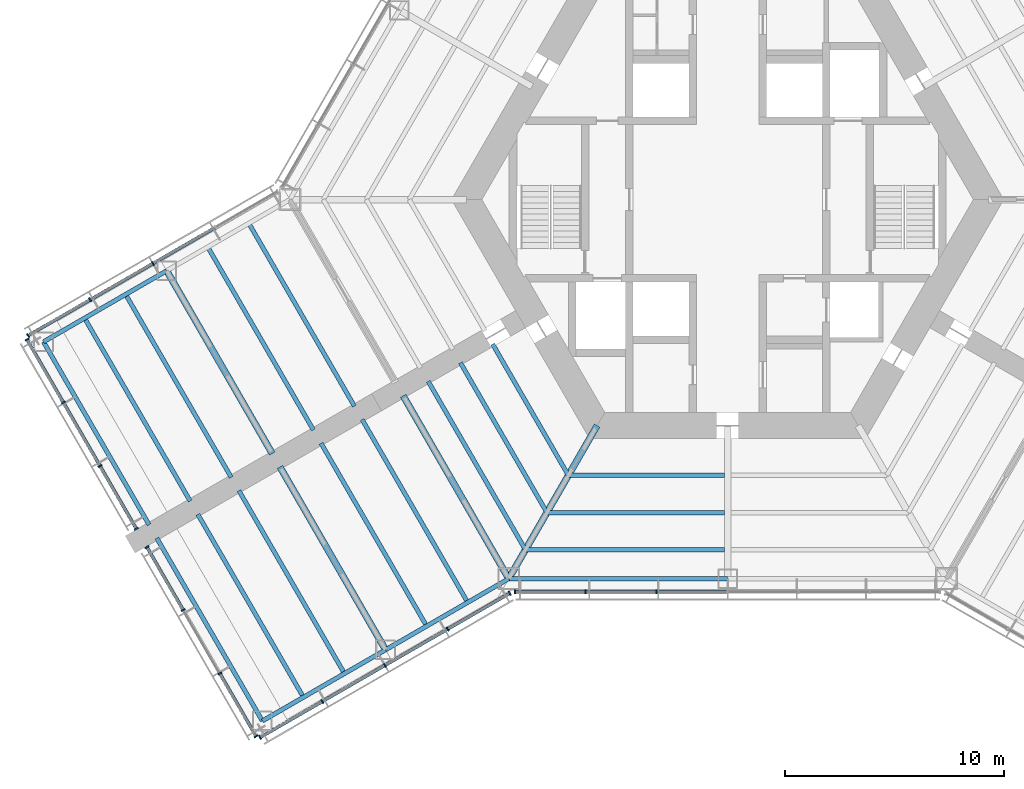
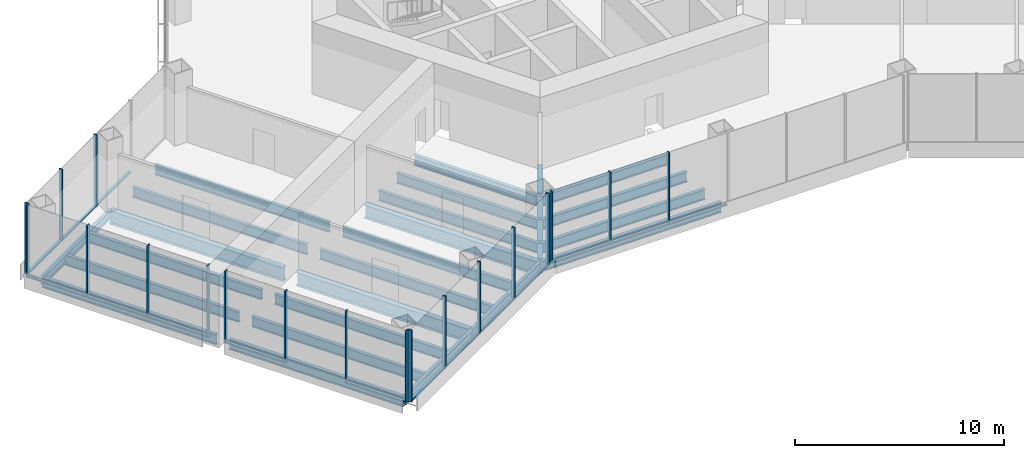
# One storey, part 2 of 15: 34 members, 24 beams, 5 elements without a shape of their own.
"""IFC4 building model written with IfcOpenShell, lengths in metres."""

import ifcopenshell
import ifcopenshell.guid

model = None  # the IFC model being written
_history = None  # IfcOwnerHistory: only IFC2X3 demands one
_inside = {}  # id of a spatial element -> (the spatial element, [elements in it])
_under = {}  # id of a project, library or spatial element -> (it, [spatial elements below it])
_declared = {}  # id of a project -> (the project, [libraries it declares])
_typed = {}  # id of a type object -> (the type object, [elements of that type])
_made_of = {}  # id of a material, layer set ... -> (it, [elements and type objects made of it])


def new_model(schema):
    """Start an empty IFC model of exactly this schema.

    Asked for "IFC4X3", IfcOpenShell would pick the latest addendum, in which some entities
    have other attributes; the version numbers below select the first issue.
    IFC2X3 requires an IfcOwnerHistory on every rooted entity: one is made here for all.
    """
    global model, _history
    if schema == "IFC4X3":
        model = ifcopenshell.file(schema_version=(4, 3, 0, 0))
    else:
        model = ifcopenshell.file(schema=schema)
    _inside.clear()
    _under.clear()
    _declared.clear()
    _typed.clear()
    _made_of.clear()
    _history = None
    if model.schema == "IFC2X3":
        org = make("IfcOrganization", Name="unknown")
        user = make(
            "IfcPersonAndOrganization",
            ThePerson=make("IfcPerson", FamilyName="unknown"),
            TheOrganization=org,
        )
        app = make(
            "IfcApplication",
            ApplicationDeveloper=org,
            Version="unknown",
            ApplicationFullName="unknown",
            ApplicationIdentifier="unknown",
        )
        _history = make(
            "IfcOwnerHistory",
            OwningUser=user,
            OwningApplication=app,
            ChangeAction="ADDED",
            CreationDate=0,
        )
    return model


def make(cls, **values):
    """One entity of the class cls with the attributes given. An attribute that is None is left unset."""
    return model.create_entity(
        cls, **{name: value for name, value in values.items() if value is not None}
    )


def rooted(cls, **values):
    """An entity with a GlobalId (a new one), such as an element, a storey or a relation."""
    return make(cls, GlobalId=ifcopenshell.guid.new(), OwnerHistory=_history, **values)


def si_unit(unit_type, name, prefix=None):
    """IfcSIUnit, for example si_unit("LENGTHUNIT", "METRE", prefix="MILLI")."""
    return make("IfcSIUnit", UnitType=unit_type, Prefix=prefix, Name=name)


def assignment(units):
    """IfcUnitAssignment: the units of a project."""
    return None if units is None else make("IfcUnitAssignment", Units=units)


def point(xyz):
    """IfcCartesianPoint."""
    return None if xyz is None else make("IfcCartesianPoint", Coordinates=xyz)


def direction(xyz):
    """IfcDirection."""
    return None if xyz is None else make("IfcDirection", DirectionRatios=xyz)


def frame(location, z_axis=None, x_axis=None):
    """IfcAxis2Placement3D, a coordinate frame: its origin and axes. An axis left out is left unset."""
    return make(
        "IfcAxis2Placement3D",
        Location=point(location),
        Axis=direction(z_axis),
        RefDirection=direction(x_axis),
    )


def frame_2d(location, x_axis=None):
    """IfcAxis2Placement2D, a coordinate frame in the plane: its origin and x axis."""
    return make(
        "IfcAxis2Placement2D", Location=point(location), RefDirection=direction(x_axis)
    )


def origin():
    """The frame at (0, 0, 0) with its axes left unset."""
    return frame((0.0, 0.0, 0.0))


def origin_2d():
    """The frame at (0, 0) in the plane with its x axis left unset."""
    return frame_2d((0.0, 0.0))


def place(relative_to, where):
    """IfcLocalPlacement: puts the frame where relative to a parent placement (None: the world)."""
    return make(
        "IfcLocalPlacement", PlacementRelTo=relative_to, RelativePlacement=where
    )


def context(
    kind, dimensions, precision=None, world=None, true_north=None, identifier=None
):
    """IfcGeometricRepresentationContext, for example the 3D "Model" context."""
    return make(
        "IfcGeometricRepresentationContext",
        ContextIdentifier=identifier,
        ContextType=kind,
        CoordinateSpaceDimension=dimensions,
        Precision=precision,
        WorldCoordinateSystem=world,
        TrueNorth=true_north,
    )


def subcontext(parent, identifier, kind, view, scale=None):
    """IfcGeometricRepresentationSubContext, for example "Body" below "Model"."""
    return make(
        "IfcGeometricRepresentationSubContext",
        ContextIdentifier=identifier,
        ContextType=kind,
        ParentContext=parent,
        TargetScale=scale,
        TargetView=view,
    )


def project(units=None, contexts=None):
    """IfcProject with its units and contexts."""
    return rooted(
        "IfcProject",
        Name="project",
        RepresentationContexts=contexts,
        UnitsInContext=assignment(units),
    )


def spatial(cls, under=None, at=None, **own):
    """A site, building, storey or space (cls), placed at a placement, below another one or the project."""
    s = rooted(cls, ObjectPlacement=at, **own)
    if under is not None:
        _under.setdefault(under.id(), (under, []))[1].append(s)
    return s


def profile(cls, at=None, kind="AREA", **sizes):
    """A parametric profile (cls). Its sizes go by their IFC names, for example OverallWidth=200.0."""
    return make(cls, ProfileType=kind, Position=at, **sizes)


def rectangle(**sizes):
    """IfcRectangleProfileDef."""
    return profile("IfcRectangleProfileDef", **sizes)


def i_section(**sizes):
    """IfcIShapeProfileDef."""
    return profile("IfcIShapeProfileDef", **sizes)


def extrude(swept, where, along, depth):
    """IfcExtrudedAreaSolid: the profile swept, set in the frame where, extruded along a direction by depth."""
    return make(
        "IfcExtrudedAreaSolid",
        SweptArea=swept,
        Position=where,
        ExtrudedDirection=direction(along),
        Depth=depth,
    )


def shape(context_of_items, identifier, shape_type, items):
    """IfcShapeRepresentation: the items that make up one representation, for example the "Body"."""
    return make(
        "IfcShapeRepresentation",
        ContextOfItems=context_of_items,
        RepresentationIdentifier=identifier,
        RepresentationType=shape_type,
        Items=items,
    )


def material(Name=None, Category=None):
    """IfcMaterial."""
    return make("IfcMaterial", Name=Name, Category=Category)


def material_profile(
    of_material, cross_section, Name=None, Category=None, Priority=None
):
    """IfcMaterialProfile: a cross section and its material."""
    return make(
        "IfcMaterialProfile",
        Name=Name,
        Material=of_material,
        Profile=cross_section,
        Priority=Priority,
        Category=Category,
    )


def profile_set(profiles, Name=None, composite=None):
    """IfcMaterialProfileSet."""
    return make(
        "IfcMaterialProfileSet",
        Name=Name,
        MaterialProfiles=profiles,
        CompositeProfile=composite,
    )


def made_of(thing, what):
    """Note that an element or type object is made of a material, layer set ...; save() writes the relation."""
    if what is not None:
        _made_of.setdefault(what.id(), (what, []))[1].append(thing)
    return thing


def type_object(cls, material=None, **own):
    """A type object (cls), such as IfcWallType, which elements share."""
    return made_of(rooted(cls, **own), material)


def element(
    cls,
    number,
    at=None,
    inside=None,
    cuts=None,
    type_object=None,
    material=None,
    context=None,
    identifier="Body",
    shape_type=None,
    held_by="IfcProductDefinitionShape",
    body=None,
    shapes=None,
    **own,
):
    """One element of the class cls, such as IfcWall. Its Tag is "e" and its number.

    at: its placement. inside: the storey or other place that contains it. cuts: it is an
    opening in that element (IfcRelVoidsElement). A single representation is given by context,
    identifier, shape_type and body (its items); several are given by shapes. held_by: the class
    of the entity that holds the representations. save() writes the other relations.
    """
    e = rooted(cls, Tag="e%d" % number, ObjectPlacement=at, **own)
    if body is not None:
        shapes = [shape(context, identifier, shape_type, body)]
    if shapes is not None:
        e.Representation = make(held_by, Representations=shapes)
    if inside is not None:
        _inside.setdefault(inside.id(), (inside, []))[1].append(e)
    if cuts is not None:
        rooted(
            "IfcRelVoidsElement", RelatingBuildingElement=cuts, RelatedOpeningElement=e
        )
    if type_object is not None:
        _typed.setdefault(type_object.id(), (type_object, []))[1].append(e)
    return made_of(e, material)


def aggregate(whole, parts):
    """IfcRelAggregates: a whole, such as a stair, and the parts it consists of."""
    return rooted("IfcRelAggregates", RelatingObject=whole, RelatedObjects=parts)


def save(model, path):
    """Write the relations noted so far, then the file.

    IfcRelAggregates (storeys below a building ...), IfcRelContainedInSpatialStructure (elements
    in a storey), IfcRelDefinesByType, IfcRelAssociatesMaterial and IfcRelDeclares: one each for
    every whole, place, type object, material and project.
    """
    for whole, parts in _under.values():
        aggregate(whole, parts)
    for where, things in _inside.values():
        rooted(
            "IfcRelContainedInSpatialStructure",
            RelatedElements=things,
            RelatingStructure=where,
        )
    for kind, things in _typed.values():
        rooted("IfcRelDefinesByType", RelatedObjects=things, RelatingType=kind)
    for what, things in _made_of.values():
        rooted("IfcRelAssociatesMaterial", RelatedObjects=things, RelatingMaterial=what)
    for by, libraries in _declared.values():
        rooted("IfcRelDeclares", RelatingContext=by, RelatedDefinitions=libraries)
    model.write(path)


model = new_model("IFC4")

# Units and contexts
model_context = context("Model", 3, precision=1e-05, world=origin(), true_north=direction((0.0, 1.0)))
body_context = subcontext(model_context, "Body", "Model", "MODEL_VIEW")
ifc_project = project(units=[si_unit("LENGTHUNIT", "METRE"), si_unit("AREAUNIT", "SQUARE_METRE"), si_unit("VOLUMEUNIT", "CUBIC_METRE"), si_unit("PLANEANGLEUNIT", "RADIAN"), si_unit("MASSUNIT", "GRAM", prefix="KILO")], contexts=[model_context])

# Site, building, storey
site_placement = place(None, origin())
site = spatial("IfcSite", under=ifc_project, at=site_placement, CompositionType="ELEMENT")
building_placement = place(site_placement, origin())
building = spatial("IfcBuilding", under=site, at=building_placement, Name="Kasaneha Research Tower", CompositionType="ELEMENT")
storey_placement = place(building_placement, frame((0.0, 0.0, 35.199951171875)))
storey = spatial("IfcBuildingStorey", under=building, at=storey_placement, Name="L09", CompositionType="ELEMENT", Elevation=35.199951171875)

# Beams
ifc_material_1 = material(Name="Steel SN490B", Category="steel")
ifc_material_profile_1 = material_profile(ifc_material_1, i_section(OverallWidth=0.199951171875, OverallDepth=0.60009765625, WebThickness=0.010986328125, FlangeThickness=0.01708984375, FilletRadius=0.012939453125, at=origin_2d()), Name="H-600x200x11x17")
ifc_profile_set_1 = profile_set([ifc_material_profile_1], Name="Steel SN490B")
beam_type_1 = type_object("IfcBeamType", Name="B1-2 secondary beam H-600x200x11x17", PredefinedType="JOIST", material=ifc_profile_set_1)
beam_1_placement = place(storey_placement, frame((-7.274658203125, -12.60009765625, -0.469970703125), z_axis=(-0.499972710878, 0.866041158593, 0.0), x_axis=(-0.866041158593, -0.499972710878, 0.0)))
element("IfcBeam", 1, at=beam_1_placement, inside=storey, type_object=beam_type_1, Name="Secondary beam RS210R1 L09", PredefinedType="JOIST", context=body_context, shape_type="SweptSolid", body=[
    extrude(i_section(OverallWidth=0.199951171875, OverallDepth=0.60009765625, WebThickness=0.010986328125, FlangeThickness=0.01708984375, FilletRadius=0.012939453125, at=origin_2d()), origin(), (0.0, 0.0, 1.0), 6.9248046875),
])
beam_2_placement = place(storey_placement, frame((-8.256103515625, -14.300048828125, -0.469970703125), z_axis=(-0.500004902938, 0.866022573054, 0.0), x_axis=(-0.866022573054, -0.500004902938, 0.0)))
element("IfcBeam", 2, at=beam_2_placement, inside=storey, type_object=beam_type_1, Name="Secondary beam RS210R2 L09", PredefinedType="JOIST", context=body_context, shape_type="SweptSolid", body=[
    extrude(i_section(OverallWidth=0.199951171875, OverallDepth=0.60009765625, WebThickness=0.010986328125, FlangeThickness=0.01708984375, FilletRadius=0.012939453125, at=origin_2d()), origin(), (0.0, 0.0, 1.0), 7.90625),
])
beam_3_placement = place(storey_placement, frame((-9.237548828125, -16.0, -0.469970703125), z_axis=(-0.500009382636, 0.866019986649, 0.0), x_axis=(-0.866019986649, -0.500009382636, 0.0)))
element("IfcBeam", 3, at=beam_3_placement, inside=storey, type_object=beam_type_1, Name="Secondary beam RS210R3 L09", PredefinedType="JOIST", context=body_context, shape_type="SweptSolid", body=[
    extrude(i_section(OverallWidth=0.199951171875, OverallDepth=0.60009765625, WebThickness=0.010986328125, FlangeThickness=0.01708984375, FilletRadius=0.012939453125, at=origin_2d()), origin(), (0.0, 0.0, 1.0), 8.887451171875),
])
beam_4_placement = place(storey_placement, frame((-7.274658203125, -12.60009765625, -0.469970703125), z_axis=(1.0, 0.0, 0.0), x_axis=(0.0, 1.0, 0.0)))
element("IfcBeam", 4, at=beam_4_placement, inside=storey, type_object=beam_type_1, Name="Secondary beam RS270L1 L09", PredefinedType="JOIST", context=body_context, shape_type="SweptSolid", body=[
    extrude(i_section(OverallWidth=0.199951171875, OverallDepth=0.60009765625, WebThickness=0.010986328125, FlangeThickness=0.01708984375, FilletRadius=0.012939453125, at=origin_2d()), origin(), (0.0, 0.0, 1.0), 7.124755859375),
])
beam_5_placement = place(storey_placement, frame((-8.256103515625, -14.300048828125, -0.469970703125), z_axis=(1.0, 0.0, 0.0), x_axis=(0.0, 1.0, 0.0)))
element("IfcBeam", 5, at=beam_5_placement, inside=storey, type_object=beam_type_1, Name="Secondary beam RS270L2 L09", PredefinedType="JOIST", context=body_context, shape_type="SweptSolid", body=[
    extrude(i_section(OverallWidth=0.199951171875, OverallDepth=0.60009765625, WebThickness=0.010986328125, FlangeThickness=0.01708984375, FilletRadius=0.012939453125, at=origin_2d()), origin(), (0.0, 0.0, 1.0), 8.106201171875),
])
beam_6_placement = place(storey_placement, frame((-9.237548828125, -16.0, -0.469970703125), z_axis=(1.0, 0.0, 0.0), x_axis=(0.0, 1.0, 0.0)))
element("IfcBeam", 6, at=beam_6_placement, inside=storey, type_object=beam_type_1, Name="Secondary beam RS270L3 L09", PredefinedType="JOIST", context=body_context, shape_type="SweptSolid", body=[
    extrude(i_section(OverallWidth=0.199951171875, OverallDepth=0.60009765625, WebThickness=0.010986328125, FlangeThickness=0.01708984375, FilletRadius=0.012939453125, at=origin_2d()), origin(), (0.0, 0.0, 1.0), 9.087646484375),
])
ifc_material_2 = material(Name="Steel SN490B", Category="steel")
ifc_material_profile_2 = material_profile(ifc_material_2, i_section(OverallWidth=0.198974609375, OverallDepth=0.595947265625, WebThickness=0.010009765625, FlangeThickness=0.014892578125, FilletRadius=0.012939453125, at=origin_2d()), Name="H-596x199x10x15")
ifc_profile_set_2 = profile_set([ifc_material_profile_2], Name="Steel SN490B")
beam_type_2 = type_object("IfcBeamType", Name="B2-2 secondary beam H-596x199x10x15", PredefinedType="JOIST", material=ifc_profile_set_2)
beam_7_placement = place(storey_placement, frame((-21.87646484375, -1.083251953125, -0.468017578125), z_axis=(0.500013717211, -0.866017484004, 0.0), x_axis=(0.866017484004, 0.500013717211, 0.0)))
element("IfcBeam", 7, at=beam_7_placement, inside=storey, type_object=beam_type_2, Name="Secondary beam WBBP1 L09", PredefinedType="JOIST", context=body_context, shape_type="SweptSolid", body=[
    extrude(i_section(OverallWidth=0.198974609375, OverallDepth=0.595947265625, WebThickness=0.010009765625, FlangeThickness=0.014892578125, FilletRadius=0.012939453125, at=origin_2d()), origin(), (0.0, 0.0, 1.0), 9.650146484375),
])
for number, where, z_axis, x_axis, name in (
    (8, (-23.752685546875, -2.166748046875, -0.468017578125), (0.499994742786, -0.866028439017, 0.0), (0.866028439017, 0.499994742786, 0.0), "Secondary beam WBBP2 L09"),
    (9, (-27.505615234375, -4.333251953125, -0.468017578125), (0.499994742786, -0.866028439017, 0.0), (0.866028439017, 0.499994742786, 0.0), "Secondary beam WBBP3 L09"),
    (10, (-29.3818359375, -5.416748046875, -0.468017578125), (0.499994742786, -0.866028439017, 0.0), (0.866028439017, 0.499994742786, 0.0), "Secondary beam WBBP4 L09"),
    (11, (-11.87646484375, -18.40380859375, -0.468017578125), (-0.499994742786, 0.866028439017, 0.0), (-0.866028439017, -0.499994742786, 0.0), "Secondary beam WBBN1 L09"),
    (12, (-13.752685546875, -19.487060546875, -0.468017578125), (-0.500024672494, 0.866011158645, 0.0), (-0.866011158645, -0.500024672494, 0.0), "Secondary beam WBBN2 L09"),
    (13, (-17.505615234375, -21.65380859375, -0.468017578125), (-0.499994742786, 0.866028439017, 0.0), (-0.866028439017, -0.499994742786, 0.0), "Secondary beam WBBN3 L09"),
    (14, (-19.3818359375, -22.737060546875, -0.468017578125), (-0.500024672494, 0.866011158645, 0.0), (-0.866011158645, -0.500024672494, 0.0), "Secondary beam WBBN4 L09"),
):
    element("IfcBeam", number, at=place(storey_placement, frame(where, z_axis=z_axis, x_axis=x_axis)), inside=storey, type_object=beam_type_2, Name=name, PredefinedType="JOIST", context=body_context, shape_type="SweptSolid", body=[
        extrude(i_section(OverallWidth=0.198974609375, OverallDepth=0.595947265625, WebThickness=0.010009765625, FlangeThickness=0.014892578125, FilletRadius=0.012939453125, at=origin_2d()), origin(), (0.0, 0.0, 1.0), 9.64990234375),
    ])

# Curtain wall, members
ifc_material_3 = material(Name="Glass and aluminium", Category="aluminium")
curtain_wall_type = type_object("IfcCurtainWallType", Name="Dry laboratory curtain wall", PredefinedType="USERDEFINED", material=ifc_material_3)
curtain_wall_1_placement = place(storey_placement, origin())
curtain_wall_1 = element("IfcCurtainWall", 15, at=curtain_wall_1_placement, inside=storey, type_object=curtain_wall_type, Name="CW-L2 L09 run 01a", ObjectType="UNITISED CURTAIN WALL", PredefinedType="USERDEFINED")
ifc_material_4 = material(Name="Aluminium 6063-T6", Category="aluminium")
ifc_material_profile_3 = material_profile(ifc_material_4, rectangle(XDim=0.06494140625, YDim=0.199951171875, at=origin_2d()), Name="CW-L2 mullion 65x200")
ifc_profile_set_3 = profile_set([ifc_material_profile_3], Name="Aluminium 6063-T6")
member_type_1 = type_object("IfcMemberType", Name="CW-L2 mullion", PredefinedType="MULLION", material=ifc_profile_set_3)
member_1_placement = place(storey_placement, frame((-21.36328125, -24.573974609375, 0.0), z_axis=(0.0, 0.0, 1.0), x_axis=(0.866025411464, 0.499999986699, 0.0)))
member_1 = element("IfcMember", 16, at=member_1_placement, type_object=member_type_1, Name="CW-L2 mullion 1", PredefinedType="MULLION", context=body_context, shape_type="SweptSolid", body=[
    extrude(rectangle(XDim=0.06494140625, YDim=0.199951171875, at=origin_2d()), origin(), (0.0, 0.0, 1.0), 4.199951171875),
])
member_2_placement = place(storey_placement, frame((-18.52490234375, -22.935302734375, 0.0), z_axis=(0.0, 0.0, 1.0), x_axis=(0.866025411464, 0.499999986699, 0.0)))
member_2 = element("IfcMember", 17, at=member_2_placement, type_object=member_type_1, Name="CW-L2 mullion 2", PredefinedType="MULLION", context=body_context, shape_type="SweptSolid", body=[
    extrude(rectangle(XDim=0.06494140625, YDim=0.199951171875, at=origin_2d()), origin(), (0.0, 0.0, 1.0), 4.199951171875),
])
member_3_placement = place(storey_placement, frame((-15.65869140625, -21.2802734375, 0.0), z_axis=(0.0, 0.0, 1.0), x_axis=(0.866025411464, 0.499999986699, 0.0)))
member_3 = element("IfcMember", 18, at=member_3_placement, type_object=member_type_1, Name="CW-L2 mullion 3", PredefinedType="MULLION", context=body_context, shape_type="SweptSolid", body=[
    extrude(rectangle(XDim=0.06494140625, YDim=0.199951171875, at=origin_2d()), origin(), (0.0, 0.0, 1.0), 4.199951171875),
])
member_4_placement = place(storey_placement, frame((-12.792236328125, -19.62548828125, 0.0), z_axis=(0.0, 0.0, 1.0), x_axis=(0.866025411464, 0.499999986699, 0.0)))
member_4 = element("IfcMember", 19, at=member_4_placement, type_object=member_type_1, Name="CW-L2 mullion 4", PredefinedType="MULLION", context=body_context, shape_type="SweptSolid", body=[
    extrude(rectangle(XDim=0.06494140625, YDim=0.199951171875, at=origin_2d()), origin(), (0.0, 0.0, 1.0), 4.199951171875),
])
member_5_placement = place(storey_placement, frame((-9.953857421875, -17.98681640625, 0.0), z_axis=(0.0, 0.0, 1.0), x_axis=(0.866025411464, 0.499999986699, 0.0)))
member_5 = element("IfcMember", 20, at=member_5_placement, type_object=member_type_1, Name="CW-L2 mullion 5", PredefinedType="MULLION", context=body_context, shape_type="SweptSolid", body=[
    extrude(rectangle(XDim=0.06494140625, YDim=0.199951171875, at=origin_2d()), origin(), (0.0, 0.0, 1.0), 4.199951171875),
])

curtain_wall_2_placement = place(storey_placement, origin())
curtain_wall_2 = element("IfcCurtainWall", 21, at=curtain_wall_2_placement, inside=storey, type_object=curtain_wall_type, Name="CW-L2 L09 run 02a", ObjectType="UNITISED CURTAIN WALL", PredefinedType="USERDEFINED")
member_6_placement = place(storey_placement, frame((-9.706787109375, -17.92041015625, 0.0), z_axis=(0.0, 0.0, 1.0), x_axis=(1.0, 0.0, 0.0)))
member_6 = element("IfcMember", 22, at=member_6_placement, type_object=member_type_1, Name="CW-L2 mullion 1", PredefinedType="MULLION", context=body_context, shape_type="SweptSolid", body=[
    extrude(rectangle(XDim=0.06494140625, YDim=0.199951171875, at=origin_2d()), origin(), (0.0, 0.0, 1.0), 4.199951171875),
])
member_7_placement = place(storey_placement, frame((-6.492919921875, -17.92041015625, 0.0), z_axis=(0.0, 0.0, 1.0), x_axis=(1.0, 0.0, 0.0)))
member_7 = element("IfcMember", 23, at=member_7_placement, type_object=member_type_1, Name="CW-L2 mullion 2", PredefinedType="MULLION", context=body_context, shape_type="SweptSolid", body=[
    extrude(rectangle(XDim=0.06494140625, YDim=0.199951171875, at=origin_2d()), origin(), (0.0, 0.0, 1.0), 4.199951171875),
])
member_8_placement = place(storey_placement, frame((-3.246337890625, -17.92041015625, 0.0), z_axis=(0.0, 0.0, 1.0), x_axis=(1.0, 0.0, 0.0)))
member_8 = element("IfcMember", 24, at=member_8_placement, type_object=member_type_1, Name="CW-L2 mullion 3", PredefinedType="MULLION", context=body_context, shape_type="SweptSolid", body=[
    extrude(rectangle(XDim=0.06494140625, YDim=0.199951171875, at=origin_2d()), origin(), (0.0, 0.0, 1.0), 4.199951171875),
])

curtain_wall_3_placement = place(storey_placement, origin())
curtain_wall_3 = element("IfcCurtainWall", 25, at=curtain_wall_3_placement, inside=storey, type_object=curtain_wall_type, Name="CW-L2 L09 run 13a", ObjectType="UNITISED CURTAIN WALL", PredefinedType="USERDEFINED")
member_9_placement = place(storey_placement, frame((-26.258544921875, -2.920654296875, 0.0), z_axis=(0.0, 0.0, 1.0), x_axis=(-0.866025411464, -0.499999986699, 0.0)))
member_9 = element("IfcMember", 26, at=member_9_placement, type_object=member_type_1, Name="CW-L2 mullion 3", PredefinedType="MULLION", context=body_context, shape_type="SweptSolid", body=[
    extrude(rectangle(XDim=0.06494140625, YDim=0.199951171875, at=origin_2d()), origin(), (0.0, 0.0, 1.0), 4.199951171875),
])
member_10_placement = place(storey_placement, frame((-29.125, -4.575439453125, 0.0), z_axis=(0.0, 0.0, 1.0), x_axis=(-0.866025411464, -0.499999986699, 0.0)))
member_10 = element("IfcMember", 27, at=member_10_placement, type_object=member_type_1, Name="CW-L2 mullion 4", PredefinedType="MULLION", context=body_context, shape_type="SweptSolid", body=[
    extrude(rectangle(XDim=0.06494140625, YDim=0.199951171875, at=origin_2d()), origin(), (0.0, 0.0, 1.0), 4.199951171875),
])
member_11_placement = place(storey_placement, frame((-31.963134765625, -6.214111328125, 0.0), z_axis=(0.0, 0.0, 1.0), x_axis=(-0.866025411464, -0.499999986699, 0.0)))
member_11 = element("IfcMember", 28, at=member_11_placement, type_object=member_type_1, Name="CW-L2 mullion 5", PredefinedType="MULLION", context=body_context, shape_type="SweptSolid", body=[
    extrude(rectangle(XDim=0.06494140625, YDim=0.199951171875, at=origin_2d()), origin(), (0.0, 0.0, 1.0), 4.199951171875),
])

curtain_wall_4_placement = place(storey_placement, origin())
curtain_wall_4 = element("IfcCurtainWall", 29, at=curtain_wall_4_placement, inside=storey, type_object=curtain_wall_type, Name="CW-L2 L09 run 14a", ObjectType="UNITISED CURTAIN WALL", PredefinedType="USERDEFINED")
member_12_placement = place(storey_placement, frame((-32.01171875, -6.39501953125, 0.0), z_axis=(0.0, 0.0, 1.0), x_axis=(0.500000011442, -0.866025397178, 0.0)))
member_12 = element("IfcMember", 30, at=member_12_placement, type_object=member_type_1, Name="CW-L2 mullion 1", PredefinedType="MULLION", context=body_context, shape_type="SweptSolid", body=[
    extrude(rectangle(XDim=0.06494140625, YDim=0.199951171875, at=origin_2d()), origin(), (0.0, 0.0, 1.0), 4.199951171875),
])
member_13_placement = place(storey_placement, frame((-30.35302734375, -9.26806640625, 0.0), z_axis=(0.0, 0.0, 1.0), x_axis=(0.500000011442, -0.866025397178, 0.0)))
member_13 = element("IfcMember", 31, at=member_13_placement, type_object=member_type_1, Name="CW-L2 mullion 2", PredefinedType="MULLION", context=body_context, shape_type="SweptSolid", body=[
    extrude(rectangle(XDim=0.06494140625, YDim=0.199951171875, at=origin_2d()), origin(), (0.0, 0.0, 1.0), 4.199951171875),
])
member_14_placement = place(storey_placement, frame((-28.677978515625, -12.16943359375, 0.0), z_axis=(0.0, 0.0, 1.0), x_axis=(0.500000011442, -0.866025397178, 0.0)))
member_14 = element("IfcMember", 32, at=member_14_placement, type_object=member_type_1, Name="CW-L2 mullion 3", PredefinedType="MULLION", context=body_context, shape_type="SweptSolid", body=[
    extrude(rectangle(XDim=0.06494140625, YDim=0.199951171875, at=origin_2d()), origin(), (0.0, 0.0, 1.0), 4.199951171875),
])
member_15_placement = place(storey_placement, frame((-27.019287109375, -15.04248046875, 0.0), z_axis=(0.0, 0.0, 1.0), x_axis=(0.500000011442, -0.866025397178, 0.0)))
member_15 = element("IfcMember", 33, at=member_15_placement, type_object=member_type_1, Name="CW-L2 mullion 4", PredefinedType="MULLION", context=body_context, shape_type="SweptSolid", body=[
    extrude(rectangle(XDim=0.06494140625, YDim=0.199951171875, at=origin_2d()), origin(), (0.0, 0.0, 1.0), 4.199951171875),
])

curtain_wall_5_placement = place(storey_placement, origin())
curtain_wall_5 = element("IfcCurtainWall", 34, at=curtain_wall_5_placement, inside=storey, type_object=curtain_wall_type, Name="CW-L2 L09 run 15a", ObjectType="UNITISED CURTAIN WALL", PredefinedType="USERDEFINED")
member_16_placement = place(storey_placement, frame((-26.53662109375, -15.878173828125, 0.0), z_axis=(0.0, 0.0, 1.0), x_axis=(0.500000011442, -0.866025397178, 0.0)))
member_16 = element("IfcMember", 35, at=member_16_placement, type_object=member_type_1, Name="CW-L2 mullion 1", PredefinedType="MULLION", context=body_context, shape_type="SweptSolid", body=[
    extrude(rectangle(XDim=0.06494140625, YDim=0.199951171875, at=origin_2d()), origin(), (0.0, 0.0, 1.0), 4.199951171875),
])
member_17_placement = place(storey_placement, frame((-24.8779296875, -18.751220703125, 0.0), z_axis=(0.0, 0.0, 1.0), x_axis=(0.500000011442, -0.866025397178, 0.0)))
member_17 = element("IfcMember", 36, at=member_17_placement, type_object=member_type_1, Name="CW-L2 mullion 2", PredefinedType="MULLION", context=body_context, shape_type="SweptSolid", body=[
    extrude(rectangle(XDim=0.06494140625, YDim=0.199951171875, at=origin_2d()), origin(), (0.0, 0.0, 1.0), 4.199951171875),
])
member_18_placement = place(storey_placement, frame((-23.202880859375, -21.65234375, 0.0), z_axis=(0.0, 0.0, 1.0), x_axis=(0.500000011442, -0.866025397178, 0.0)))
member_18 = element("IfcMember", 37, at=member_18_placement, type_object=member_type_1, Name="CW-L2 mullion 3", PredefinedType="MULLION", context=body_context, shape_type="SweptSolid", body=[
    extrude(rectangle(XDim=0.06494140625, YDim=0.199951171875, at=origin_2d()), origin(), (0.0, 0.0, 1.0), 4.199951171875),
])
member_19_placement = place(storey_placement, frame((-21.544189453125, -24.525390625, 0.0), z_axis=(0.0, 0.0, 1.0), x_axis=(0.500000011442, -0.866025397178, 0.0)))
member_19 = element("IfcMember", 38, at=member_19_placement, type_object=member_type_1, Name="CW-L2 mullion 4", PredefinedType="MULLION", context=body_context, shape_type="SweptSolid", body=[
    extrude(rectangle(XDim=0.06494140625, YDim=0.199951171875, at=origin_2d()), origin(), (0.0, 0.0, 1.0), 4.199951171875),
])

# Member
ifc_material_5 = material(Name="Aluminium 6063-T6", Category="aluminium")
ifc_material_profile_4 = material_profile(ifc_material_5, rectangle(XDim=0.14990234375, YDim=0.06494140625, at=origin_2d()), Name="CW-L2 transom 150x65")
ifc_profile_set_4 = profile_set([ifc_material_profile_4], Name="Aluminium 6063-T6")
member_type_2 = type_object("IfcMemberType", Name="CW-L2 transom", PredefinedType="USERDEFINED", material=ifc_profile_set_4)
member_20_placement = place(storey_placement, frame((-21.3349609375, -24.5576171875, 0.032470703125), z_axis=(0.86600331843, 0.500038251005, 0.0), x_axis=(-0.500038251005, 0.86600331843, 0.0)))
member_20 = element("IfcMember", 39, at=member_20_placement, type_object=member_type_2, Name="CW-L2 transom 1", ObjectType="TRANSOM", PredefinedType="USERDEFINED", context=body_context, shape_type="SweptSolid", body=[
    extrude(rectangle(XDim=0.14990234375, YDim=0.06494140625, at=origin_2d()), origin(), (0.0, 0.0, 1.0), 3.212158203125),
])

member_21_placement = place(storey_placement, frame((-18.496826171875, -22.9189453125, 0.032470703125), z_axis=(0.866035229914, 0.499982980259, 0.0), x_axis=(-0.499982980259, 0.866035229914, 0.0)))
member_21 = element("IfcMember", 40, at=member_21_placement, type_object=member_type_2, Name="CW-L2 transom 2", ObjectType="TRANSOM", PredefinedType="USERDEFINED", context=body_context, shape_type="SweptSolid", body=[
    extrude(rectangle(XDim=0.14990234375, YDim=0.06494140625, at=origin_2d()), origin(), (0.0, 0.0, 1.0), 3.24462890625),
])

member_22_placement = place(storey_placement, frame((-15.63037109375, -21.26416015625, 0.032470703125), z_axis=(0.866002649306, 0.500039409842, 0.0), x_axis=(-0.500039409842, 0.866002649306, 0.0)))
member_22 = element("IfcMember", 41, at=member_22_placement, type_object=member_type_2, Name="CW-L2 transom 3", ObjectType="TRANSOM", PredefinedType="USERDEFINED", context=body_context, shape_type="SweptSolid", body=[
    extrude(rectangle(XDim=0.14990234375, YDim=0.06494140625, at=origin_2d()), origin(), (0.0, 0.0, 1.0), 3.244873046875),
])

member_23_placement = place(storey_placement, frame((-12.76416015625, -19.609130859375, 0.032470703125), z_axis=(0.866022320763, 0.500005339912, 0.0), x_axis=(-0.500005339912, 0.866022320763, 0.0)))
member_23 = element("IfcMember", 42, at=member_23_placement, type_object=member_type_2, Name="CW-L2 transom 4", ObjectType="TRANSOM", PredefinedType="USERDEFINED", context=body_context, shape_type="SweptSolid", body=[
    extrude(rectangle(XDim=0.14990234375, YDim=0.06494140625, at=origin_2d()), origin(), (0.0, 0.0, 1.0), 3.21240234375),
])

aggregate(curtain_wall_1, [member_1, member_2, member_3, member_4, member_5, member_20, member_21, member_22, member_23])

member_24_placement = place(storey_placement, frame((-9.67431640625, -17.92041015625, 0.032470703125), z_axis=(1.0, 0.0, 0.0), x_axis=(0.0, 1.0, 0.0)))
member_24 = element("IfcMember", 43, at=member_24_placement, type_object=member_type_2, Name="CW-L2 transom 1", ObjectType="TRANSOM", PredefinedType="USERDEFINED", context=body_context, shape_type="SweptSolid", body=[
    extrude(rectangle(XDim=0.14990234375, YDim=0.06494140625, at=origin_2d()), origin(), (0.0, 0.0, 1.0), 3.14892578125),
])

member_25_placement = place(storey_placement, frame((-6.460205078125, -17.92041015625, 0.032470703125), z_axis=(1.0, 0.0, 0.0), x_axis=(0.0, 1.0, 0.0)))
member_25 = element("IfcMember", 44, at=member_25_placement, type_object=member_type_2, Name="CW-L2 transom 2", ObjectType="TRANSOM", PredefinedType="USERDEFINED", context=body_context, shape_type="SweptSolid", body=[
    extrude(rectangle(XDim=0.14990234375, YDim=0.06494140625, at=origin_2d()), origin(), (0.0, 0.0, 1.0), 3.181396484375),
])

member_26_placement = place(storey_placement, frame((-3.2138671875, -17.92041015625, 0.032470703125), z_axis=(1.0, 0.0, 0.0), x_axis=(0.0, 1.0, 0.0)))
member_26 = element("IfcMember", 45, at=member_26_placement, type_object=member_type_2, Name="CW-L2 transom 3", ObjectType="TRANSOM", PredefinedType="USERDEFINED", context=body_context, shape_type="SweptSolid", body=[
    extrude(rectangle(XDim=0.14990234375, YDim=0.06494140625, at=origin_2d()), origin(), (0.0, 0.0, 1.0), 3.181396484375),
])

aggregate(curtain_wall_2, [member_6, member_7, member_8, member_24, member_25, member_26])

member_27_placement = place(storey_placement, frame((-23.42041015625, -1.281982421875, 0.032470703125), z_axis=(-0.866035229914, -0.499982980259, 0.0), x_axis=(0.499982980259, -0.866035229914, 0.0)))
member_27 = element("IfcMember", 46, at=member_27_placement, type_object=member_type_2, Name="CW-L2 transom 2", ObjectType="TRANSOM", PredefinedType="USERDEFINED", context=body_context, shape_type="SweptSolid", body=[
    extrude(rectangle(XDim=0.14990234375, YDim=0.06494140625, at=origin_2d()), origin(), (0.0, 0.0, 1.0), 3.24462890625),
])

member_28_placement = place(storey_placement, frame((-26.28662109375, -2.936767578125, 0.032470703125), z_axis=(-0.866021460221, -0.500006830391, 0.0), x_axis=(0.500006830391, -0.866021460221, 0.0)))
member_28 = element("IfcMember", 47, at=member_28_placement, type_object=member_type_2, Name="CW-L2 transom 3", ObjectType="TRANSOM", PredefinedType="USERDEFINED", context=body_context, shape_type="SweptSolid", body=[
    extrude(rectangle(XDim=0.14990234375, YDim=0.06494140625, at=origin_2d()), origin(), (0.0, 0.0, 1.0), 3.2451171875),
])

member_29_placement = place(storey_placement, frame((-29.153076171875, -4.591796875, 0.032470703125), z_axis=(-0.866022320763, -0.500005339912, 0.0), x_axis=(0.500005339912, -0.866022320763, 0.0)))
member_29 = element("IfcMember", 48, at=member_29_placement, type_object=member_type_2, Name="CW-L2 transom 4", ObjectType="TRANSOM", PredefinedType="USERDEFINED", context=body_context, shape_type="SweptSolid", body=[
    extrude(rectangle(XDim=0.14990234375, YDim=0.06494140625, at=origin_2d()), origin(), (0.0, 0.0, 1.0), 3.21240234375),
])

aggregate(curtain_wall_3, [member_9, member_10, member_11, member_27, member_28, member_29])

member_30_placement = place(storey_placement, frame((-31.995361328125, -6.42333984375, 0.032470703125), z_axis=(0.500006189695, -0.866021830133, 0.0), x_axis=(0.866021830133, 0.500006189695, 0.0)))
member_30 = element("IfcMember", 49, at=member_30_placement, type_object=member_type_2, Name="CW-L2 transom 1", ObjectType="TRANSOM", PredefinedType="USERDEFINED", context=body_context, shape_type="SweptSolid", body=[
    extrude(rectangle(XDim=0.14990234375, YDim=0.06494140625, at=origin_2d()), origin(), (0.0, 0.0, 1.0), 3.25244140625),
])

member_31_placement = place(storey_placement, frame((-30.336669921875, -9.29638671875, 0.032470703125), z_axis=(0.500039835994, -0.866002403241, 0.0), x_axis=(0.866002403241, 0.500039835994, 0.0)))
member_31 = element("IfcMember", 50, at=member_31_placement, type_object=member_type_2, Name="CW-L2 transom 2", ObjectType="TRANSOM", PredefinedType="USERDEFINED", context=body_context, shape_type="SweptSolid", body=[
    extrude(rectangle(XDim=0.14990234375, YDim=0.06494140625, at=origin_2d()), origin(), (0.0, 0.0, 1.0), 3.284912109375),
])

member_32_placement = place(storey_placement, frame((-28.66162109375, -12.197509765625, 0.032470703125), z_axis=(0.500006189695, -0.866021830133, 0.0), x_axis=(0.866021830133, 0.500006189695, 0.0)))
member_32 = element("IfcMember", 51, at=member_32_placement, type_object=member_type_2, Name="CW-L2 transom 3", ObjectType="TRANSOM", PredefinedType="USERDEFINED", context=body_context, shape_type="SweptSolid", body=[
    extrude(rectangle(XDim=0.14990234375, YDim=0.06494140625, at=origin_2d()), origin(), (0.0, 0.0, 1.0), 3.25244140625),
])

aggregate(curtain_wall_4, [member_12, member_13, member_14, member_15, member_30, member_31, member_32])

member_33_placement = place(storey_placement, frame((-26.5205078125, -15.90625, 0.032470703125), z_axis=(0.500006189695, -0.866021830133, 0.0), x_axis=(0.866021830133, 0.500006189695, 0.0)))
member_33 = element("IfcMember", 52, at=member_33_placement, type_object=member_type_2, Name="CW-L2 transom 1", ObjectType="TRANSOM", PredefinedType="USERDEFINED", context=body_context, shape_type="SweptSolid", body=[
    extrude(rectangle(XDim=0.14990234375, YDim=0.06494140625, at=origin_2d()), origin(), (0.0, 0.0, 1.0), 3.25244140625),
])

member_34_placement = place(storey_placement, frame((-23.186767578125, -21.680419921875, 0.032470703125), z_axis=(0.499973687205, -0.866040594951, 0.0), x_axis=(0.866040594951, 0.499973687205, 0.0)))
member_34 = element("IfcMember", 53, at=member_34_placement, type_object=member_type_2, Name="CW-L2 transom 3", ObjectType="TRANSOM", PredefinedType="USERDEFINED", context=body_context, shape_type="SweptSolid", body=[
    extrude(rectangle(XDim=0.14990234375, YDim=0.06494140625, at=origin_2d()), origin(), (0.0, 0.0, 1.0), 3.252685546875),
])

aggregate(curtain_wall_5, [member_16, member_17, member_18, member_19, member_33, member_34])

# Beams
ifc_material_6 = material(Name="Steel SN490B", Category="steel")
ifc_material_profile_5 = material_profile(ifc_material_6, i_section(OverallWidth=0.300048828125, OverallDepth=0.699951171875, WebThickness=0.012939453125, FlangeThickness=0.02392578125, FilletRadius=0.01806640625, at=origin_2d()), Name="H-700x300x13x24")
ifc_profile_set_5 = profile_set([ifc_material_profile_5], Name="Steel SN490B")
beam_type_3 = type_object("IfcBeamType", Name="G1-2 radial girder H-700x300x13x24", PredefinedType="BEAM", material=ifc_profile_set_5)
beam_8_placement = place(storey_placement, frame((-5.961181640625, -10.324951171875, -0.52001953125), z_axis=(-0.49999105496, -0.866030568144, 0.0), x_axis=(0.866030568144, -0.49999105496, 0.0)))
element("IfcBeam", 54, at=beam_8_placement, inside=storey, type_object=beam_type_3, Name="Radial girder RV240 L09", PredefinedType="BEAM", context=body_context, shape_type="SweptSolid", body=[
    extrude(i_section(OverallWidth=0.300048828125, OverallDepth=0.699951171875, WebThickness=0.012939453125, FlangeThickness=0.02392578125, FilletRadius=0.01806640625, at=origin_2d()), origin(), (0.0, 0.0, 1.0), 8.077880859375),
])
ifc_material_7 = material(Name="Steel SN490B", Category="steel")
ifc_material_profile_6 = material_profile(ifc_material_7, i_section(OverallWidth=0.300048828125, OverallDepth=0.7919921875, WebThickness=0.013916015625, FlangeThickness=0.02197265625, FilletRadius=0.01806640625, at=origin_2d()), Name="H-792x300x14x22")
ifc_profile_set_6 = profile_set([ifc_material_profile_6], Name="Steel SN490B")
beam_type_4 = type_object("IfcBeamType", Name="G3-2 plate edge girder H-792x300x14x22", PredefinedType="BEAM", material=ifc_profile_set_6)
beam_9_placement = place(storey_placement, frame((-10.0, -17.320556640625, -0.56591796875), z_axis=(-0.499994742786, 0.866028439017, 0.0), x_axis=(-0.866028439017, -0.499994742786, 0.0)))
element("IfcBeam", 55, at=beam_9_placement, inside=storey, type_object=beam_type_4, Name="Plate edge girder PEBN L09", PredefinedType="BEAM", context=body_context, shape_type="SweptSolid", body=[
    extrude(i_section(OverallWidth=0.300048828125, OverallDepth=0.7919921875, WebThickness=0.013916015625, FlangeThickness=0.02197265625, FilletRadius=0.01806640625, at=origin_2d()), origin(), (0.0, 0.0, 1.0), 9.64990234375),
])
ifc_material_8 = material(Name="Steel SN490B", Category="steel")
ifc_material_profile_7 = material_profile(ifc_material_8, i_section(OverallWidth=0.300048828125, OverallDepth=0.800048828125, WebThickness=0.013916015625, FlangeThickness=0.02587890625, FilletRadius=0.01806640625, at=origin_2d()), Name="H-800x300x14x26")
ifc_profile_set_7 = profile_set([ifc_material_profile_7], Name="Steel SN490B")
beam_type_5 = type_object("IfcBeamType", Name="G4-2 wing girder H-800x300x14x26", PredefinedType="BEAM", material=ifc_profile_set_7)
for number, where, z_axis, x_axis, name in (
    (56, (-25.629150390625, -3.25, -0.570068359375), (0.499994742786, -0.866028439017, 0.0), (0.866028439017, 0.499994742786, 0.0), "Wing girder WGBP L09"),
    (57, (-15.629150390625, -20.570556640625, -0.570068359375), (-0.499994742786, 0.866028439017, 0.0), (-0.866028439017, -0.499994742786, 0.0), "Wing girder WGBN L09"),
):
    element("IfcBeam", number, at=place(storey_placement, frame(where, z_axis=z_axis, x_axis=x_axis)), inside=storey, type_object=beam_type_5, Name=name, PredefinedType="BEAM", context=body_context, shape_type="SweptSolid", body=[
        extrude(i_section(OverallWidth=0.300048828125, OverallDepth=0.800048828125, WebThickness=0.013916015625, FlangeThickness=0.02587890625, FilletRadius=0.01806640625, at=origin_2d()), origin(), (0.0, 0.0, 1.0), 9.64990234375),
    ])
ifc_material_9 = material(Name="Steel SN490B", Category="steel")
ifc_material_profile_8 = material_profile(ifc_material_9, i_section(OverallWidth=0.199951171875, OverallDepth=0.60009765625, WebThickness=0.010986328125, FlangeThickness=0.01708984375, FilletRadius=0.012939453125, at=origin_2d()), Name="H-600x200x11x17")
ifc_profile_set_8 = profile_set([ifc_material_profile_8], Name="Steel SN490B")
beam_type_6 = type_object("IfcBeamType", Name="SB1-2 spandrel beam H-600x200x11x17", PredefinedType="SPANDREL", material=ifc_profile_set_8)
beam_10_placement = place(storey_placement, frame((-10.0, -17.320556640625, -0.469970703125), z_axis=(1.0, 0.0, 0.0), x_axis=(0.0, 1.0, 0.0)))
element("IfcBeam", 58, at=beam_10_placement, inside=storey, type_object=beam_type_6, Name="Spandrel beam SR270L L09", PredefinedType="SPANDREL", context=body_context, shape_type="SweptSolid", body=[
    extrude(i_section(OverallWidth=0.199951171875, OverallDepth=0.60009765625, WebThickness=0.010986328125, FlangeThickness=0.01708984375, FilletRadius=0.012939453125, at=origin_2d()), origin(), (0.0, 0.0, 1.0), 10.0),
])
ifc_material_10 = material(Name="Steel SN490B", Category="steel")
ifc_material_profile_9 = material_profile(ifc_material_10, i_section(OverallWidth=0.199951171875, OverallDepth=0.5, WebThickness=0.010009765625, FlangeThickness=0.01611328125, FilletRadius=0.012939453125, at=origin_2d()), Name="H-500x200x10x16")
ifc_profile_set_9 = profile_set([ifc_material_profile_9], Name="Steel SN490B")
beam_type_7 = type_object("IfcBeamType", Name="SB2-2 spandrel beam H-500x200x10x16", PredefinedType="SPANDREL", material=ifc_profile_set_9)
for number, where, z_axis, x_axis, name in (
    (59, (-25.629150390625, -3.25, -0.419921875), (-0.866024837091, -0.50000098154, 0.0), (0.50000098154, -0.866024837091, 0.0), "Spandrel beam WSBP2 L09"),
    (60, (-10.0, -17.320556640625, -0.419921875), (-0.866024837091, -0.50000098154, 0.0), (0.50000098154, -0.866024837091, 0.0), "Spandrel beam WSBN1 L09"),
    (61, (-15.629150390625, -20.570556640625, -0.419921875), (-0.866024837091, -0.50000098154, 0.0), (0.50000098154, -0.866024837091, 0.0), "Spandrel beam WSBN2 L09"),
):
    element("IfcBeam", number, at=place(storey_placement, frame(where, z_axis=z_axis, x_axis=x_axis)), inside=storey, type_object=beam_type_7, Name=name, PredefinedType="SPANDREL", context=body_context, shape_type="SweptSolid", body=[
        extrude(i_section(OverallWidth=0.199951171875, OverallDepth=0.5, WebThickness=0.010009765625, FlangeThickness=0.01611328125, FilletRadius=0.012939453125, at=origin_2d()), origin(), (0.0, 0.0, 1.0), 6.5),
    ])
ifc_material_11 = material(Name="Steel SN490B", Category="steel")
ifc_material_profile_10 = material_profile(ifc_material_11, i_section(OverallWidth=0.199951171875, OverallDepth=0.60009765625, WebThickness=0.010986328125, FlangeThickness=0.01708984375, FilletRadius=0.012939453125, at=origin_2d()), Name="H-600x200x11x17")
ifc_profile_set_10 = profile_set([ifc_material_profile_10], Name="Steel SN490B")
beam_type_8 = type_object("IfcBeamType", Name="SB3-2 spandrel beam H-600x200x11x17", PredefinedType="SPANDREL", material=ifc_profile_set_10)
for number, where, z_axis, x_axis, name in (
    (62, (-31.25830078125, -6.5, -0.469970703125), (0.499994742786, -0.866028439017, 0.0), (0.866028439017, 0.499994742786, 0.0), "Spandrel beam WTBP L09"),
    (63, (-21.25830078125, -23.820556640625, -0.469970703125), (-0.499994742786, 0.866028439017, 0.0), (-0.866028439017, -0.499994742786, 0.0), "Spandrel beam WTBN L09"),
):
    element("IfcBeam", number, at=place(storey_placement, frame(where, z_axis=z_axis, x_axis=x_axis)), inside=storey, type_object=beam_type_8, Name=name, PredefinedType="SPANDREL", context=body_context, shape_type="SweptSolid", body=[
        extrude(i_section(OverallWidth=0.199951171875, OverallDepth=0.60009765625, WebThickness=0.010986328125, FlangeThickness=0.01708984375, FilletRadius=0.012939453125, at=origin_2d()), origin(), (0.0, 0.0, 1.0), 9.64990234375),
    ])

save(model, "model.ifc")
